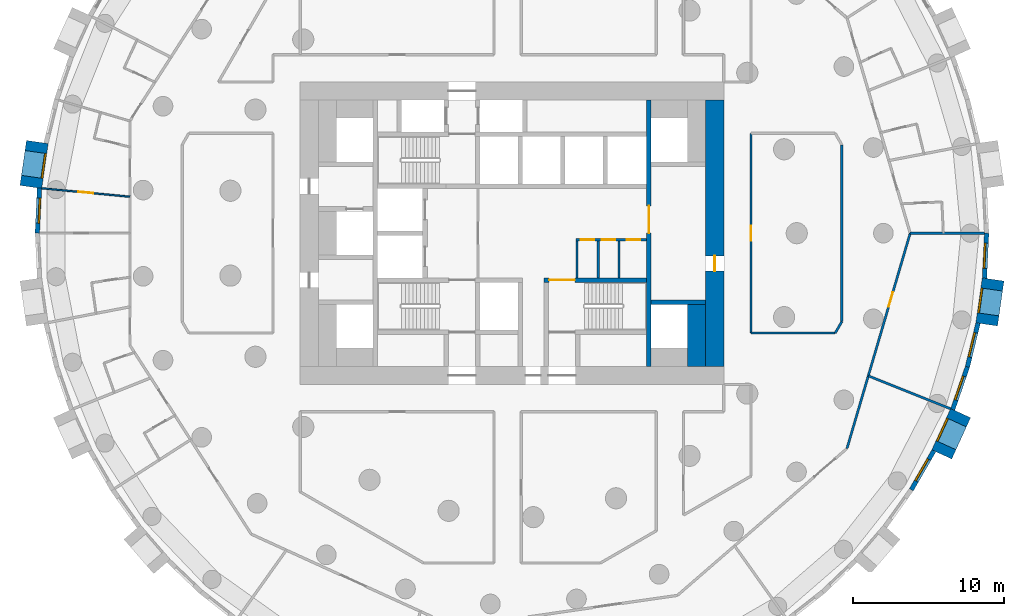
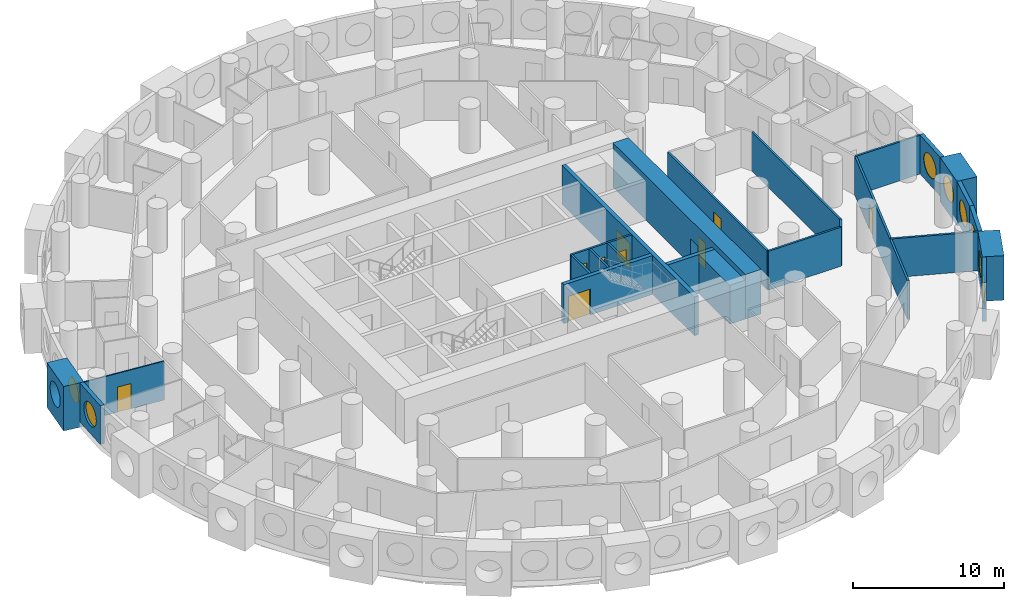
# One storey, part 6 of 12: 25 walls, 9 doors, 8 windows, 17 openings.
"""IFC4 building model written with IfcOpenShell, lengths in metres."""

from ifc_helpers import new_model, si_unit, direction, frame, frame_2d, origin, origin_2d, place, context, subcontext, project, spatial, rectangle, circle, extrude, material, layer, layer_set, type_object, element, fill, save


model = new_model("IFC4")

# Units and contexts
model_context = context("Model", 3, precision=1e-05, world=origin(), true_north=direction((0.0, 1.0)))
body_context = subcontext(model_context, "Body", "Model", "MODEL_VIEW")
ifc_project = project(units=[si_unit("LENGTHUNIT", "METRE"), si_unit("AREAUNIT", "SQUARE_METRE"), si_unit("VOLUMEUNIT", "CUBIC_METRE"), si_unit("PLANEANGLEUNIT", "RADIAN"), si_unit("MASSUNIT", "GRAM", prefix="KILO")], contexts=[model_context])

# Site, building, storey
site_placement = place(None, origin())
site = spatial("IfcSite", under=ifc_project, at=site_placement, CompositionType="ELEMENT")
building_placement = place(site_placement, origin())
building = spatial("IfcBuilding", under=site, at=building_placement, Name="Tracery Tower", CompositionType="ELEMENT")
storey_placement = place(building_placement, frame((0.0, 0.0, 103.800048828125)))
storey = spatial("IfcBuildingStorey", under=building, at=storey_placement, Name="L26", CompositionType="ELEMENT", Elevation=103.800048828125)

# Wall
ifc_material_1 = material(Name="Plasterboard on steel studs", Category="steel")
ifc_layer_1 = layer(ifc_material_1, 0.14990234375)
ifc_layer_set_1 = layer_set([ifc_layer_1], Name="Core room partition 150")
wall_type_1 = type_object("IfcWallType", Name="Core room partition 150", PredefinedType="SOLIDWALL", material=ifc_layer_set_1)
wall_1_placement = place(storey_placement, frame((4.300048828125, -2.949951171875, 0.0), z_axis=(0.0, 0.0, 1.0), x_axis=(0.0, 1.0, 0.0)))
element("IfcWall", 1, at=wall_1_placement, inside=storey, type_object=wall_type_1, Name="L26 slot W", PredefinedType="SOLIDWALL", context=body_context, shape_type="SweptSolid", body=[
    extrude(rectangle(XDim=2.449951171875, YDim=0.14990234375, at=frame_2d((1.22509765625, 0.0))), origin(), (0.0, 0.0, 1.0), 3.14990234375),
])

# Wall, openings, doors
wall_2_placement = place(storey_placement, frame((4.22509765625, -0.425048828125, 0.0), z_axis=(0.0, 0.0, 1.0), x_axis=(1.0, 0.0, 0.0)))
wall_2 = element("IfcWall", 2, at=wall_2_placement, inside=storey, type_object=wall_type_1, Name="L26 slot N", PredefinedType="SOLIDWALL", context=body_context, shape_type="SweptSolid", body=[
    extrude(rectangle(XDim=4.6748046875, YDim=0.14990234375, at=frame_2d((2.33740234375, 0.0))), origin(), (0.0, 0.0, 1.0), 3.14990234375),
])
opening_1_placement = place(wall_2_placement, frame((0.324951171875, 0.0, 0.0)))
opening_1 = element("IfcOpeningElement", 3, at=opening_1_placement, cuts=wall_2, Name="Opening KD27", PredefinedType="OPENING", context=body_context, shape_type="SweptSolid", body=[
    extrude(rectangle(XDim=0.89990234375, YDim=2.10009765625, at=frame_2d((0.449951171875, 1.050048828125))), frame((0.0, 0.074951171875, 0.0), z_axis=(0.0, -1.0, 0.0), x_axis=(1.0, 0.0, 0.0)), (0.0, 0.0, 1.0), 0.14990234375),
])
opening_2_placement = place(wall_2_placement, frame((1.71240234375, 0.0, 0.0)))
opening_2 = element("IfcOpeningElement", 4, at=opening_2_placement, cuts=wall_2, Name="Opening KD31", PredefinedType="OPENING", context=body_context, shape_type="SweptSolid", body=[
    extrude(rectangle(XDim=0.89990234375, YDim=2.10009765625, at=frame_2d((0.449951171875, 1.050048828125))), frame((0.0, 0.074951171875, 0.0), z_axis=(0.0, -1.0, 0.0), x_axis=(1.0, 0.0, 0.0)), (0.0, 0.0, 1.0), 0.14990234375),
])
opening_3_placement = place(wall_2_placement, frame((3.35009765625, 0.0, 0.0)))
opening_3 = element("IfcOpeningElement", 5, at=opening_3_placement, cuts=wall_2, Name="Opening KD22", PredefinedType="OPENING", context=body_context, shape_type="SweptSolid", body=[
    extrude(rectangle(XDim=0.89990234375, YDim=2.10009765625, at=frame_2d((0.449951171875, 1.050048828125))), frame((0.0, 0.074951171875, 0.0), z_axis=(0.0, -1.0, 0.0), x_axis=(1.0, 0.0, 0.0)), (0.0, 0.0, 1.0), 0.14990234375),
])
ifc_material_2 = material(Name="Timber door leaf", Category="wood")
door_type_1 = type_object("IfcDoorType", Name="Core WC door 900", OperationType="NOTDEFINED", PredefinedType="DOOR", material=ifc_material_2)
door_1_placement = place(opening_3_placement, origin())
door_1 = element("IfcDoor", 6, at=door_1_placement, inside=storey, type_object=door_type_1, Name="Core door", OperationType="SINGLE_SWING_RIGHT", OverallHeight=2.10009765625, OverallWidth=0.89990234375, PredefinedType="DOOR", context=body_context, shape_type="SweptSolid", body=[
    extrude(rectangle(XDim=0.89990234375, YDim=2.10009765625, at=frame_2d((0.449951171875, 1.050048828125))), frame((0.0, 0.02490234375, 0.0), z_axis=(0.0, -1.0, 0.0), x_axis=(1.0, 0.0, 0.0)), (0.0, 0.0, 1.0), 0.050048828125),
])
fill(opening_3, door_1)
ifc_material_3 = material(Name="Steel fire door", Category="steel")
door_type_2 = type_object("IfcDoorType", Name="Core riser door 900", OperationType="NOTDEFINED", PredefinedType="DOOR", material=ifc_material_3)
door_2_placement = place(opening_2_placement, origin())
door_2 = element("IfcDoor", 7, at=door_2_placement, inside=storey, type_object=door_type_2, Name="Core door", OperationType="SINGLE_SWING_LEFT", OverallHeight=2.10009765625, OverallWidth=0.89990234375, PredefinedType="DOOR", context=body_context, shape_type="SweptSolid", body=[
    extrude(rectangle(XDim=0.89990234375, YDim=2.10009765625, at=frame_2d((0.449951171875, 1.050048828125))), frame((0.0, 0.02490234375, 0.0), z_axis=(0.0, -1.0, 0.0), x_axis=(1.0, 0.0, 0.0)), (0.0, 0.0, 1.0), 0.050048828125),
])
fill(opening_2, door_2)
ifc_material_4 = material(Name="Timber door leaf", Category="wood")
door_type_3 = type_object("IfcDoorType", Name="Core store door 900", OperationType="NOTDEFINED", PredefinedType="DOOR", material=ifc_material_4)
door_3_placement = place(opening_1_placement, origin())
door_3 = element("IfcDoor", 8, at=door_3_placement, inside=storey, type_object=door_type_3, Name="Core door", OperationType="SINGLE_SWING_RIGHT", OverallHeight=2.10009765625, OverallWidth=0.89990234375, PredefinedType="DOOR", context=body_context, shape_type="SweptSolid", body=[
    extrude(rectangle(XDim=0.89990234375, YDim=2.10009765625, at=frame_2d((0.449951171875, 1.050048828125))), frame((0.0, 0.02490234375, 0.0), z_axis=(0.0, -1.0, 0.0), x_axis=(1.0, 0.0, 0.0)), (0.0, 0.0, 1.0), 0.050048828125),
])
fill(opening_1, door_3)

# Walls
for number, where, z_axis, x_axis, name in (
    (9, (5.699951171875, -2.949951171875, 0.0), (0.0, 0.0, 1.0), (0.0, 1.0, 0.0), "L26 slot sep 1"),
    (10, (7.074951171875, -2.949951171875, 0.0), (0.0, 0.0, 1.0), (0.0, 1.0, 0.0), "L26 slot sep 2"),
):
    element("IfcWall", number, at=place(storey_placement, frame(where, z_axis=z_axis, x_axis=x_axis)), inside=storey, type_object=wall_type_1, Name=name, PredefinedType="SOLIDWALL", context=body_context, shape_type="SweptSolid", body=[
        extrude(rectangle(XDim=2.449951171875, YDim=0.14990234375, at=frame_2d((1.22509765625, 0.0))), origin(), (0.0, 0.0, 1.0), 3.14990234375),
    ])
ifc_material_5 = material(Name="Concrete C60/75", Category="concrete")
ifc_layer_2 = layer(ifc_material_5, 1.199951171875)
ifc_layer_set_2 = layer_set([ifc_layer_2], Name="Core strip wall 1200 C60")
wall_type_2 = type_object("IfcWallType", Name="Core strip wall 1200 C60", PredefinedType="SOLIDWALL", material=ifc_layer_set_2)
wall_3_placement = place(storey_placement, frame((12.199951171875, -8.800048828125, 0.0), z_axis=(0.0, 0.0, 1.0), x_axis=(0.0, 1.0, 0.0)))
element("IfcWall", 11, at=wall_3_placement, inside=storey, type_object=wall_type_2, Name="L26 wing strip +1 -9.4", PredefinedType="SOLIDWALL", context=body_context, shape_type="SweptSolid", body=[
    extrude(rectangle(XDim=4.10009765625, YDim=1.199951171875, at=frame_2d((2.050048828125, 0.0))), origin(), (0.0, 0.0, 1.0), 3.14990234375),
])

# Wall, opening, door
ifc_material_6 = material(Name="Concrete C60/75", Category="concrete")
ifc_layer_3 = layer(ifc_material_6, 1.199951171875)
ifc_layer_set_3 = layer_set([ifc_layer_3], Name="Core wall 1200 C60")
wall_type_3 = type_object("IfcWallType", Name="Core wall 1200 C60", PredefinedType="SOLIDWALL", material=ifc_layer_set_3)
wall_4_placement = place(storey_placement, frame((13.39990234375, -8.800048828125, 0.0), z_axis=(0.0, 0.0, 1.0), x_axis=(0.0, 1.0, 0.0)))
wall_4 = element("IfcWall", 12, at=wall_4_placement, inside=storey, type_object=wall_type_3, Name="L26 outer E", PredefinedType="SOLIDWALL", context=body_context, shape_type="SweptSolid", body=[
    extrude(rectangle(XDim=17.60009765625, YDim=1.199951171875, at=frame_2d((8.800048828125, 0.0))), origin(), (0.0, 0.0, 1.0), 3.599853515625),
])
opening_4_placement = place(wall_4_placement, frame((6.300048828125, 0.0, 0.0)))
opening_4 = element("IfcOpeningElement", 13, at=opening_4_placement, cuts=wall_4, Name="Opening KD18", PredefinedType="OPENING", context=body_context, shape_type="SweptSolid", body=[
    extrude(rectangle(XDim=1.0, YDim=2.10009765625, at=frame_2d((0.5, 1.050048828125))), frame((0.0, 0.60009765625, 0.0), z_axis=(0.0, -1.0, 0.0), x_axis=(1.0, 0.0, 0.0)), (0.0, 0.0, 1.0), 1.199951171875),
])
ifc_material_7 = material(Name="Steel fire door", Category="steel")
door_type_4 = type_object("IfcDoorType", Name="Core exit door 1000", OperationType="NOTDEFINED", PredefinedType="DOOR", material=ifc_material_7)
door_4_placement = place(opening_4_placement, origin())
door_4 = element("IfcDoor", 14, at=door_4_placement, inside=storey, type_object=door_type_4, Name="Core exit door", OperationType="DOUBLE_DOOR_SINGLE_SWING", OverallHeight=2.10009765625, OverallWidth=1.0, PredefinedType="DOOR", context=body_context, shape_type="SweptSolid", body=[
    extrude(rectangle(XDim=1.0, YDim=2.10009765625, at=frame_2d((0.5, 1.050048828125))), frame((0.0, 0.02490234375, 0.0), z_axis=(0.0, -1.0, 0.0), x_axis=(1.0, 0.0, 0.0)), (0.0, 0.0, 1.0), 0.050048828125),
])
fill(opening_4, door_4)

# Wall, opening, window
ifc_material_8 = material(Name="Precast concrete C50/60", Category="concrete")
ifc_layer_4 = layer(ifc_material_8, 1.449951171875)
ifc_layer_set_4 = layer_set([ifc_layer_4], Name="Deep-set bay unit 3000 x 3600, slab edge 450")
wall_type_4 = type_object("IfcWallType", Name="Deep-set bay unit 3000 x 3600, slab edge 450", PredefinedType="ELEMENTEDWALL", material=ifc_layer_set_4)
wall_5_placement = place(storey_placement, frame((-31.37548828125, 6.026611328125, -0.449951171875), z_axis=(0.0, 0.0, 1.0), x_axis=(-0.142332746704, -0.989818866872, 0.0)))
wall_5 = element("IfcWall", 15, at=wall_5_placement, inside=storey, type_object=wall_type_4, Name="Deep-set bay unit 32 at L26", PredefinedType="ELEMENTEDWALL", context=body_context, shape_type="SweptSolid", body=[
    extrude(rectangle(XDim=3.0, YDim=1.449951171875, at=frame_2d((1.5, 0.0))), origin(), (0.0, 0.0, 1.0), 3.599853515625),
])
opening_5_placement = place(wall_5_placement, frame((1.5, 0.0, 2.0)))
opening_5 = element("IfcOpeningElement", 16, at=opening_5_placement, cuts=wall_5, Name="Opening WN1", PredefinedType="OPENING", context=body_context, shape_type="SweptSolid", body=[
    extrude(circle(Radius=0.9000244140625, at=origin_2d()), frame((0.0, 0.73486328125, 0.0), z_axis=(0.0, -1.0, 0.0), x_axis=(1.0, 0.0, 0.0)), (0.0, 0.0, 1.0), 1.469970703125),
])
ifc_material_9 = material(Name="Aluminium frame with tinted double glazing", Category="aluminium")
window_type = type_object("IfcWindowType", Name="Round window 1800", PartitioningType="SINGLE_PANEL", PredefinedType="WINDOW", material=ifc_material_9)
window_1_placement = place(opening_5_placement, origin())
window_1 = element("IfcWindow", 17, at=window_1_placement, inside=storey, type_object=window_type, Name="Round window 32 at L26", OverallHeight=1.800048828125, OverallWidth=1.800048828125, PartitioningType="SINGLE_PANEL", PredefinedType="WINDOW", context=body_context, shape_type="SweptSolid", body=[
    extrude(circle(Radius=0.9000244140625, at=origin_2d()), frame((0.0, 0.69482421875, 0.0), z_axis=(0.0, -1.0, 0.0), x_axis=(1.0, 0.0, 0.0)), (0.0, 0.0, 1.0), 0.10009765625),
])
fill(opening_5, window_1)

wall_6_placement = place(storey_placement, frame((28.40673828125, -14.6220703125, -0.449951171875), z_axis=(0.0, 0.0, 1.0), x_axis=(0.415427028395, 0.909626508012, 0.0)))
wall_6 = element("IfcWall", 18, at=wall_6_placement, inside=storey, type_object=wall_type_4, Name="Deep-set bay unit 62 at L26", PredefinedType="ELEMENTEDWALL", context=body_context, shape_type="SweptSolid", body=[
    extrude(rectangle(XDim=3.000244140625, YDim=1.449951171875, at=frame_2d((1.5, 0.0))), origin(), (0.0, 0.0, 1.0), 3.599853515625),
])
opening_6_placement = place(wall_6_placement, frame((1.5, 0.0, 2.0)))
opening_6 = element("IfcOpeningElement", 19, at=opening_6_placement, cuts=wall_6, Name="Opening WN1", PredefinedType="OPENING", context=body_context, shape_type="SweptSolid", body=[
    extrude(circle(Radius=0.9000244140625, at=origin_2d()), frame((0.0, 0.73486328125, 0.0), z_axis=(0.0, -1.0, 0.0), x_axis=(1.0, 0.0, 0.0)), (0.0, 0.0, 1.0), 1.469970703125),
])
window_2_placement = place(opening_6_placement, origin())
window_2 = element("IfcWindow", 20, at=window_2_placement, inside=storey, type_object=window_type, Name="Round window 62 at L26", OverallHeight=1.800048828125, OverallWidth=1.800048828125, PartitioningType="SINGLE_PANEL", PredefinedType="WINDOW", context=body_context, shape_type="SweptSolid", body=[
    extrude(circle(Radius=0.9000244140625, at=origin_2d()), frame((0.0, 0.69482421875, 0.0), z_axis=(0.0, -1.0, 0.0), x_axis=(1.0, 0.0, 0.0)), (0.0, 0.0, 1.0), 0.10009765625),
])
fill(opening_6, window_2)

wall_7_placement = place(storey_placement, frame((31.37548828125, -6.026611328125, -0.449951171875), z_axis=(0.0, 0.0, 1.0), x_axis=(0.142332746704, 0.989818866872, 0.0)))
wall_7 = element("IfcWall", 21, at=wall_7_placement, inside=storey, type_object=wall_type_4, Name="Deep-set bay unit 65 at L26", PredefinedType="ELEMENTEDWALL", context=body_context, shape_type="SweptSolid", body=[
    extrude(rectangle(XDim=3.0, YDim=1.449951171875, at=frame_2d((1.5, 0.0))), origin(), (0.0, 0.0, 1.0), 3.599853515625),
])
opening_7_placement = place(wall_7_placement, frame((1.5, 0.0, 2.0)))
opening_7 = element("IfcOpeningElement", 22, at=opening_7_placement, cuts=wall_7, Name="Opening WN1", PredefinedType="OPENING", context=body_context, shape_type="SweptSolid", body=[
    extrude(circle(Radius=0.9000244140625, at=origin_2d()), frame((0.0, 0.73486328125, 0.0), z_axis=(0.0, -1.0, 0.0), x_axis=(1.0, 0.0, 0.0)), (0.0, 0.0, 1.0), 1.469970703125),
])
window_3_placement = place(opening_7_placement, origin())
window_3 = element("IfcWindow", 23, at=window_3_placement, inside=storey, type_object=window_type, Name="Round window 65 at L26", OverallHeight=1.800048828125, OverallWidth=1.800048828125, PartitioningType="SINGLE_PANEL", PredefinedType="WINDOW", context=body_context, shape_type="SweptSolid", body=[
    extrude(circle(Radius=0.9000244140625, at=origin_2d()), frame((0.0, 0.69482421875, 0.0), z_axis=(0.0, -1.0, 0.0), x_axis=(1.0, 0.0, 0.0)), (0.0, 0.0, 1.0), 0.10009765625),
])
fill(opening_7, window_3)

ifc_material_10 = material(Name="Precast concrete C50/60", Category="concrete")
ifc_layer_5 = layer(ifc_material_10, 0.300048828125)
ifc_layer_set_5 = layer_set([ifc_layer_5], Name="Facade panel 3000 x 3150")
wall_type_5 = type_object("IfcWallType", Name="Facade panel 3000 x 3150", PredefinedType="SOLIDWALL", material=ifc_layer_set_5)
wall_8_placement = place(storey_placement, frame((-31.232666015625, 2.976318359375, 0.0), z_axis=(0.0, 0.0, 1.0), x_axis=(-0.047604077644, -0.998866283239, 0.0)))
wall_8 = element("IfcWall", 24, at=wall_8_placement, inside=storey, type_object=wall_type_5, Name="Facade panel 33 at L26", PredefinedType="SOLIDWALL", context=body_context, shape_type="SweptSolid", body=[
    extrude(rectangle(XDim=2.979736328125, YDim=0.300048828125, at=frame_2d((1.48974609375, 0.0))), origin(), (0.0, 0.0, 1.0), 3.14990234375),
])
opening_8_placement = place(wall_8_placement, frame((1.48974609375, 0.0, 1.5498046875)))
opening_8 = element("IfcOpeningElement", 25, at=opening_8_placement, cuts=wall_8, Name="Opening WN1", PredefinedType="OPENING", context=body_context, shape_type="SweptSolid", body=[
    extrude(circle(Radius=0.9000244140625, at=origin_2d()), frame((0.0, 0.159912109375, 0.0), z_axis=(0.0, -1.0, 0.0), x_axis=(1.0, 0.0, 0.0)), (0.0, 0.0, 1.0), 0.320068359375),
])
window_4_placement = place(opening_8_placement, origin())
window_4 = element("IfcWindow", 26, at=window_4_placement, inside=storey, type_object=window_type, Name="Round window 33 at L26", OverallHeight=1.800048828125, OverallWidth=1.800048828125, PartitioningType="SINGLE_PANEL", PredefinedType="WINDOW", context=body_context, shape_type="SweptSolid", body=[
    extrude(circle(Radius=0.9000244140625, at=origin_2d()), frame((0.0, 0.1201171875, 0.0), z_axis=(0.0, -1.0, 0.0), x_axis=(1.0, 0.0, 0.0)), (0.0, 0.0, 1.0), 0.10009765625),
])
fill(opening_8, window_4)

wall_9_placement = place(storey_placement, frame((26.393798828125, -16.96240234375, 0.0), z_axis=(0.0, 0.0, 1.0), x_axis=(0.500025049464, 0.866010940986, 0.0)))
wall_9 = element("IfcWall", 27, at=wall_9_placement, inside=storey, type_object=wall_type_5, Name="Facade panel 61 at L26", PredefinedType="SOLIDWALL", context=body_context, shape_type="SweptSolid", body=[
    extrude(rectangle(XDim=2.979736328125, YDim=0.300048828125, at=frame_2d((1.48974609375, 0.0))), origin(), (0.0, 0.0, 1.0), 3.14990234375),
])
opening_9_placement = place(wall_9_placement, frame((1.48974609375, 0.0, 1.5498046875)))
opening_9 = element("IfcOpeningElement", 28, at=opening_9_placement, cuts=wall_9, Name="Opening WN1", PredefinedType="OPENING", context=body_context, shape_type="SweptSolid", body=[
    extrude(circle(Radius=0.9000244140625, at=origin_2d()), frame((0.0, 0.159912109375, 0.0), z_axis=(0.0, -1.0, 0.0), x_axis=(1.0, 0.0, 0.0)), (0.0, 0.0, 1.0), 0.320068359375),
])
window_5_placement = place(opening_9_placement, origin())
window_5 = element("IfcWindow", 29, at=window_5_placement, inside=storey, type_object=window_type, Name="Round window 61 at L26", OverallHeight=1.800048828125, OverallWidth=1.800048828125, PartitioningType="SINGLE_PANEL", PredefinedType="WINDOW", context=body_context, shape_type="SweptSolid", body=[
    extrude(circle(Radius=0.9000244140625, at=origin_2d()), frame((0.0, 0.1201171875, 0.0), z_axis=(0.0, -1.0, 0.0), x_axis=(1.0, 0.0, 0.0)), (0.0, 0.0, 1.0), 0.10009765625),
])
fill(opening_9, window_5)

wall_10_placement = place(storey_placement, frame((29.12890625, -11.655029296875, 0.0), z_axis=(0.0, 0.0, 1.0), x_axis=(0.327071167136, 0.944999709856, 0.0)))
wall_10 = element("IfcWall", 30, at=wall_10_placement, inside=storey, type_object=wall_type_5, Name="Facade panel 63 at L26", PredefinedType="SOLIDWALL", context=body_context, shape_type="SweptSolid", body=[
    extrude(rectangle(XDim=2.979736328125, YDim=0.300048828125, at=frame_2d((1.48974609375, 0.0))), origin(), (0.0, 0.0, 1.0), 3.14990234375),
])
opening_10_placement = place(wall_10_placement, frame((1.48974609375, 0.0, 1.5498046875)))
opening_10 = element("IfcOpeningElement", 31, at=opening_10_placement, cuts=wall_10, Name="Opening WN1", PredefinedType="OPENING", context=body_context, shape_type="SweptSolid", body=[
    extrude(circle(Radius=0.9000244140625, at=origin_2d()), frame((0.0, 0.159912109375, 0.0), z_axis=(0.0, -1.0, 0.0), x_axis=(1.0, 0.0, 0.0)), (0.0, 0.0, 1.0), 0.320068359375),
])
window_6_placement = place(opening_10_placement, origin())
window_6 = element("IfcWindow", 32, at=window_6_placement, inside=storey, type_object=window_type, Name="Round window 63 at L26", OverallHeight=1.800048828125, OverallWidth=1.800048828125, PartitioningType="SINGLE_PANEL", PredefinedType="WINDOW", context=body_context, shape_type="SweptSolid", body=[
    extrude(circle(Radius=0.9000244140625, at=origin_2d()), frame((0.0, 0.1201171875, 0.0), z_axis=(0.0, -1.0, 0.0), x_axis=(1.0, 0.0, 0.0)), (0.0, 0.0, 1.0), 0.10009765625),
])
fill(opening_10, window_6)

wall_11_placement = place(storey_placement, frame((30.103515625, -8.839111328125, 0.0), z_axis=(0.0, 0.0, 1.0), x_axis=(0.235743081534, 0.971815414319, 0.0)))
wall_11 = element("IfcWall", 33, at=wall_11_placement, inside=storey, type_object=wall_type_5, Name="Facade panel 64 at L26", PredefinedType="SOLIDWALL", context=body_context, shape_type="SweptSolid", body=[
    extrude(rectangle(XDim=2.9794921875, YDim=0.300048828125, at=frame_2d((1.48974609375, 0.0))), origin(), (0.0, 0.0, 1.0), 3.14990234375),
])
opening_11_placement = place(wall_11_placement, frame((1.48974609375, 0.0, 1.5498046875)))
opening_11 = element("IfcOpeningElement", 34, at=opening_11_placement, cuts=wall_11, Name="Opening WN1", PredefinedType="OPENING", context=body_context, shape_type="SweptSolid", body=[
    extrude(circle(Radius=0.9000244140625, at=origin_2d()), frame((0.0, 0.159912109375, 0.0), z_axis=(0.0, -1.0, 0.0), x_axis=(1.0, 0.0, 0.0)), (0.0, 0.0, 1.0), 0.320068359375),
])
window_7_placement = place(opening_11_placement, origin())
window_7 = element("IfcWindow", 35, at=window_7_placement, inside=storey, type_object=window_type, Name="Round window 64 at L26", OverallHeight=1.800048828125, OverallWidth=1.800048828125, PartitioningType="SINGLE_PANEL", PredefinedType="WINDOW", context=body_context, shape_type="SweptSolid", body=[
    extrude(circle(Radius=0.9000244140625, at=origin_2d()), frame((0.0, 0.1201171875, 0.0), z_axis=(0.0, -1.0, 0.0), x_axis=(1.0, 0.0, 0.0)), (0.0, 0.0, 1.0), 0.10009765625),
])
fill(opening_11, window_7)

wall_12_placement = place(storey_placement, frame((31.232666015625, -2.976318359375, 0.0), z_axis=(0.0, 0.0, 1.0), x_axis=(0.047604077644, 0.998866283239, 0.0)))
wall_12 = element("IfcWall", 36, at=wall_12_placement, inside=storey, type_object=wall_type_5, Name="Facade panel 66 at L26", PredefinedType="SOLIDWALL", context=body_context, shape_type="SweptSolid", body=[
    extrude(rectangle(XDim=2.979736328125, YDim=0.300048828125, at=frame_2d((1.48974609375, 0.0))), origin(), (0.0, 0.0, 1.0), 3.14990234375),
])
opening_12_placement = place(wall_12_placement, frame((1.48974609375, 0.0, 1.5498046875)))
opening_12 = element("IfcOpeningElement", 37, at=opening_12_placement, cuts=wall_12, Name="Opening WN1", PredefinedType="OPENING", context=body_context, shape_type="SweptSolid", body=[
    extrude(circle(Radius=0.9000244140625, at=origin_2d()), frame((0.0, 0.159912109375, 0.0), z_axis=(0.0, -1.0, 0.0), x_axis=(1.0, 0.0, 0.0)), (0.0, 0.0, 1.0), 0.320068359375),
])
window_8_placement = place(opening_12_placement, origin())
window_8 = element("IfcWindow", 38, at=window_8_placement, inside=storey, type_object=window_type, Name="Round window 66 at L26", OverallHeight=1.800048828125, OverallWidth=1.800048828125, PartitioningType="SINGLE_PANEL", PredefinedType="WINDOW", context=body_context, shape_type="SweptSolid", body=[
    extrude(circle(Radius=0.9000244140625, at=origin_2d()), frame((0.0, 0.1201171875, 0.0), z_axis=(0.0, -1.0, 0.0), x_axis=(1.0, 0.0, 0.0)), (0.0, 0.0, 1.0), 0.10009765625),
])
fill(opening_12, window_8)

# Wall, opening, door
ifc_material_11 = material(Name="Plasterboard on steel studs", Category="steel")
ifc_layer_6 = layer(ifc_material_11, 0.10009765625)
ifc_layer_set_6 = layer_set([ifc_layer_6], Name="Partition 100 stud")
wall_type_6 = type_object("IfcWallType", Name="Partition 100 stud", PredefinedType="PARTITIONING", material=ifc_layer_set_6)
wall_13_placement = place(storey_placement, frame((-31.0830078125, 2.968017578125, 0.0), z_axis=(0.0, 0.0, 1.0), x_axis=(0.995465070325, -0.095127775983, 0.0)))
wall_13 = element("IfcWall", 39, at=wall_13_placement, inside=storey, type_object=wall_type_6, Name="Stud partition RA8-095", PredefinedType="PARTITIONING", context=body_context, shape_type="SweptSolid", body=[
    extrude(rectangle(XDim=5.856689453125, YDim=0.10009765625, at=frame_2d((2.92822265625, 0.0))), origin(), (0.0, 0.0, 1.0), 3.14990234375),
])
opening_13_placement = place(wall_13_placement, frame((2.428466796875, 0.0, 0.0)))
opening_13 = element("IfcOpeningElement", 40, at=opening_13_placement, cuts=wall_13, Name="Opening RA8-34", PredefinedType="OPENING", context=body_context, shape_type="SweptSolid", body=[
    extrude(rectangle(XDim=1.0, YDim=2.0400390625, at=frame_2d((0.5, 1.02001953125))), frame((0.0, 0.050048828125, 0.0), z_axis=(0.0, -1.0, 0.0), x_axis=(1.0, 0.0, 0.0)), (0.0, 0.0, 1.0), 0.10009765625),
])
ifc_material_12 = material(Name="Timber door leaf", Category="wood")
door_type_5 = type_object("IfcDoorType", Name="Door communal room 1000", OperationType="NOTDEFINED", PredefinedType="DOOR", material=ifc_material_12)
door_5_placement = place(opening_13_placement, origin())
door_5 = element("IfcDoor", 41, at=door_5_placement, inside=storey, type_object=door_type_5, Name="Communal room door RA8-34", OperationType="SINGLE_SWING_LEFT", OverallHeight=2.0400390625, OverallWidth=1.0, PredefinedType="DOOR", context=body_context, shape_type="SweptSolid", body=[
    extrude(rectangle(XDim=1.0, YDim=2.0400390625, at=frame_2d((0.5, 1.02001953125))), frame((0.0, 0.02490234375, 0.0), z_axis=(0.0, -1.0, 0.0), x_axis=(1.0, 0.0, 0.0)), (0.0, 0.0, 1.0), 0.050048828125),
])
fill(opening_13, door_5)

# Walls
ifc_material_13 = material(Name="Plasterboard on steel studs", Category="steel")
ifc_layer_7 = layer(ifc_material_13, 0.14990234375)
ifc_layer_set_7 = layer_set([ifc_layer_7], Name="Partition 150 acoustic unit wall")
wall_type_7 = type_object("IfcWallType", Name="Partition 150 acoustic unit wall", PredefinedType="PARTITIONING", material=ifc_layer_set_7)
wall_14_placement = place(storey_placement, frame((26.319091796875, 0.0, 0.0), z_axis=(0.0, 0.0, 1.0), x_axis=(1.0, 0.0, 0.0)))
element("IfcWall", 42, at=wall_14_placement, inside=storey, type_object=wall_type_7, Name="Unit wall RA8-063", PredefinedType="PARTITIONING", context=body_context, shape_type="SweptSolid", body=[
    extrude(rectangle(XDim=4.905029296875, YDim=0.14990234375, at=frame_2d((2.45263671875, 0.0))), origin(), (0.0, 0.0, 1.0), 3.14990234375),
])
wall_15_placement = place(storey_placement, frame((23.550048828125, -9.427978515625, 0.0), z_axis=(0.0, 0.0, 1.0), x_axis=(0.9283702981, -0.371656547911, 0.0)))
element("IfcWall", 43, at=wall_15_placement, inside=storey, type_object=wall_type_7, Name="Unit wall RA8-116", PredefinedType="PARTITIONING", context=body_context, shape_type="SweptSolid", body=[
    extrude(rectangle(XDim=5.857666015625, YDim=0.14990234375, at=frame_2d((2.9287109375, 0.0))), origin(), (0.0, 0.0, 1.0), 3.14990234375),
])

# Wall, opening, door
ifc_material_14 = material(Name="Plasterboard on steel studs", Category="steel")
ifc_layer_8 = layer(ifc_material_14, 0.14990234375)
ifc_layer_set_8 = layer_set([ifc_layer_8], Name="Partition 150 corridor wall")
wall_type_8 = type_object("IfcWallType", Name="Partition 150 corridor wall", PredefinedType="PARTITIONING", material=ifc_layer_set_8)
wall_16_placement = place(storey_placement, frame((15.800048828125, -6.60400390625, 0.0), z_axis=(0.0, 0.0, 1.0), x_axis=(0.0, 1.0, 0.0)))
wall_16 = element("IfcWall", 44, at=wall_16_placement, inside=storey, type_object=wall_type_8, Name="Corridor wall RA8-012", PredefinedType="PARTITIONING", context=body_context, shape_type="SweptSolid", body=[
    extrude(rectangle(XDim=13.2080078125, YDim=0.14990234375, at=frame_2d((6.60400390625, 0.0))), origin(), (0.0, 0.0, 1.0), 3.14990234375),
])
opening_14_placement = place(wall_16_placement, frame((6.10400390625, 0.0, 0.0)))
opening_14 = element("IfcOpeningElement", 45, at=opening_14_placement, cuts=wall_16, Name="Opening RA8-07", PredefinedType="OPENING", context=body_context, shape_type="SweptSolid", body=[
    extrude(rectangle(XDim=1.0, YDim=2.0400390625, at=frame_2d((0.5, 1.02001953125))), frame((0.0, 0.074951171875, 0.0), z_axis=(0.0, -1.0, 0.0), x_axis=(1.0, 0.0, 0.0)), (0.0, 0.0, 1.0), 0.14990234375),
])
door_6_placement = place(opening_14_placement, origin())
door_6 = element("IfcDoor", 46, at=door_6_placement, inside=storey, type_object=door_type_5, Name="Communal room door RA8-07", OperationType="SINGLE_SWING_RIGHT", OverallHeight=2.0400390625, OverallWidth=1.0, PredefinedType="DOOR", context=body_context, shape_type="SweptSolid", body=[
    extrude(rectangle(XDim=1.0, YDim=2.0400390625, at=frame_2d((0.5, 1.02001953125))), frame((0.0, 0.02490234375, 0.0), z_axis=(0.0, -1.0, 0.0), x_axis=(1.0, 0.0, 0.0)), (0.0, 0.0, 1.0), 0.050048828125),
])
fill(opening_14, door_6)

# Walls
wall_17_placement = place(storey_placement, frame((15.800048828125, -6.60009765625, 0.0), z_axis=(0.0, 0.0, 1.0), x_axis=(1.0, 0.0, 0.0)))
element("IfcWall", 47, at=wall_17_placement, inside=storey, type_object=wall_type_8, Name="Corridor wall RA8-016", PredefinedType="PARTITIONING", context=body_context, shape_type="SweptSolid", body=[
    extrude(rectangle(XDim=5.56396484375, YDim=0.14990234375, at=frame_2d((2.781982421875, 0.0))), origin(), (0.0, 0.0, 1.0), 3.14990234375),
])
wall_18_placement = place(storey_placement, frame((21.364013671875, -6.60009765625, 0.0), z_axis=(0.0, 0.0, 1.0), x_axis=(0.500277597875, 0.865865073245, 0.0)))
element("IfcWall", 48, at=wall_18_placement, inside=storey, type_object=wall_type_8, Name="Corridor wall RA8-017", PredefinedType="PARTITIONING", context=body_context, shape_type="SweptSolid", body=[
    extrude(rectangle(XDim=0.87548828125, YDim=0.14990234375, at=frame_2d((0.437744140625, 0.0))), origin(), (0.0, 0.0, 1.0), 3.14990234375),
])
wall_19_placement = place(storey_placement, frame((21.802001953125, -5.842041015625, 0.0), z_axis=(0.0, 0.0, 1.0), x_axis=(0.0, 1.0, 0.0)))
element("IfcWall", 49, at=wall_19_placement, inside=storey, type_object=wall_type_8, Name="Corridor wall RA8-018", PredefinedType="PARTITIONING", context=body_context, shape_type="SweptSolid", body=[
    extrude(rectangle(XDim=11.68408203125, YDim=0.14990234375, at=frame_2d((5.842041015625, 0.0))), origin(), (0.0, 0.0, 1.0), 3.14990234375),
])

# Wall, opening, door
wall_20_placement = place(storey_placement, frame((22.14111328125, -14.22900390625, 0.0), z_axis=(0.0, 0.0, 1.0), x_axis=(0.281745602308, 0.959489143024, 0.0)))
wall_20 = element("IfcWall", 50, at=wall_20_placement, inside=storey, type_object=wall_type_8, Name="Corridor wall RA8-023", PredefinedType="PARTITIONING", context=body_context, shape_type="SweptSolid", body=[
    extrude(rectangle(XDim=14.829833984375, YDim=0.14990234375, at=frame_2d((7.4150390625, 0.0))), origin(), (0.0, 0.0, 1.0), 3.14990234375),
])
opening_15_placement = place(wall_20_placement, frame((9.7646484375, 0.0, 0.0)))
opening_15 = element("IfcOpeningElement", 51, at=opening_15_placement, cuts=wall_20, Name="Opening RA8-49", PredefinedType="OPENING", context=body_context, shape_type="SweptSolid", body=[
    extrude(rectangle(XDim=1.0, YDim=2.0400390625, at=frame_2d((0.5, 1.02001953125))), frame((0.0, 0.074951171875, 0.0), z_axis=(0.0, -1.0, 0.0), x_axis=(1.0, 0.0, 0.0)), (0.0, 0.0, 1.0), 0.14990234375),
])
door_7_placement = place(opening_15_placement, origin())
door_7 = element("IfcDoor", 52, at=door_7_placement, inside=storey, type_object=door_type_5, Name="Communal room door RA8-49", OperationType="SINGLE_SWING_LEFT", OverallHeight=2.0400390625, OverallWidth=1.0, PredefinedType="DOOR", context=body_context, shape_type="SweptSolid", body=[
    extrude(rectangle(XDim=1.0, YDim=2.0400390625, at=frame_2d((0.5, 1.02001953125))), frame((0.0, 0.02490234375, 0.0), z_axis=(0.0, -1.0, 0.0), x_axis=(1.0, 0.0, 0.0)), (0.0, 0.0, 1.0), 0.050048828125),
])
fill(opening_15, door_7)

# Wall
ifc_material_15 = material(Name="Concrete C60/75", Category="concrete")
ifc_layer_9 = layer(ifc_material_15, 0.300048828125)
ifc_layer_set_9 = layer_set([ifc_layer_9], Name="Shaft wall 300 C60")
wall_type_9 = type_object("IfcWallType", Name="Shaft wall 300 C60", PredefinedType="SOLIDWALL", material=ifc_layer_set_9)
wall_21_placement = place(storey_placement, frame((9.199951171875, -4.550048828125, 0.0), z_axis=(0.0, 0.0, 1.0), x_axis=(1.0, 0.0, 0.0)))
element("IfcWall", 53, at=wall_21_placement, inside=storey, type_object=wall_type_9, Name="L26 wing shaft wall +1 -4.55", PredefinedType="SOLIDWALL", context=body_context, shape_type="SweptSolid", body=[
    extrude(rectangle(XDim=3.60009765625, YDim=0.300048828125, at=frame_2d((1.800048828125, 0.0))), origin(), (0.0, 0.0, 1.0), 3.14990234375),
])

# Wall, opening, door
ifc_material_16 = material(Name="Concrete C60/75", Category="concrete")
ifc_layer_10 = layer(ifc_material_16, 0.300048828125)
ifc_layer_set_10 = layer_set([ifc_layer_10], Name="Stair wall 300 C60")
wall_type_10 = type_object("IfcWallType", Name="Stair wall 300 C60", PredefinedType="SOLIDWALL", material=ifc_layer_set_10)
wall_22_placement = place(storey_placement, frame((2.10009765625, -3.10009765625, 0.0), z_axis=(0.0, 0.0, 1.0), x_axis=(1.0, 0.0, 0.0)))
wall_22 = element("IfcWall", 54, at=wall_22_placement, inside=storey, type_object=wall_type_10, Name="L26 row S E", PredefinedType="SOLIDWALL", context=body_context, shape_type="SweptSolid", body=[
    extrude(rectangle(XDim=6.7998046875, YDim=0.300048828125, at=frame_2d((3.39990234375, 0.0))), origin(), (0.0, 0.0, 1.0), 3.14990234375),
])
opening_16_placement = place(wall_22_placement, frame((0.35009765625, 0.0, 0.0)))
opening_16 = element("IfcOpeningElement", 55, at=opening_16_placement, cuts=wall_22, Name="Opening KD3", PredefinedType="OPENING", context=body_context, shape_type="SweptSolid", body=[
    extrude(rectangle(XDim=1.699951171875, YDim=2.10009765625, at=frame_2d((0.85009765625, 1.050048828125))), frame((0.0, 0.14990234375, 0.0), z_axis=(0.0, -1.0, 0.0), x_axis=(1.0, 0.0, 0.0)), (0.0, 0.0, 1.0), 0.300048828125),
])
ifc_material_17 = material(Name="Steel fire door", Category="steel")
door_type_6 = type_object("IfcDoorType", Name="Core stair door 1700 double", OperationType="NOTDEFINED", PredefinedType="DOOR", material=ifc_material_17)
door_8_placement = place(opening_16_placement, origin())
door_8 = element("IfcDoor", 56, at=door_8_placement, inside=storey, type_object=door_type_6, Name="Stair door ST2", OperationType="DOUBLE_DOOR_SINGLE_SWING", OverallHeight=2.10009765625, OverallWidth=1.699951171875, PredefinedType="DOOR", context=body_context, shape_type="SweptSolid", body=[
    extrude(rectangle(XDim=1.699951171875, YDim=2.10009765625, at=frame_2d((0.85009765625, 1.050048828125))), frame((0.0, 0.02490234375, 0.0), z_axis=(0.0, -1.0, 0.0), x_axis=(1.0, 0.0, 0.0)), (0.0, 0.0, 1.0), 0.050048828125),
])
fill(opening_16, door_8)

wall_23_placement = place(storey_placement, frame((9.050048828125, -8.800048828125, 0.0), z_axis=(0.0, 0.0, 1.0), x_axis=(0.0, 1.0, 0.0)))
wall_23 = element("IfcWall", 57, at=wall_23_placement, inside=storey, type_object=wall_type_10, Name="L26 F wall +9", PredefinedType="SOLIDWALL", context=body_context, shape_type="SweptSolid", body=[
    extrude(rectangle(XDim=17.60009765625, YDim=0.300048828125, at=frame_2d((8.800048828125, 0.0))), origin(), (0.0, 0.0, 1.0), 3.14990234375),
])
opening_17_placement = place(wall_23_placement, frame((8.800048828125, 0.0, 0.0)))
opening_17 = element("IfcOpeningElement", 58, at=opening_17_placement, cuts=wall_23, Name="Opening KD13", PredefinedType="OPENING", context=body_context, shape_type="SweptSolid", body=[
    extrude(rectangle(XDim=1.800048828125, YDim=2.10009765625, at=frame_2d((0.89990234375, 1.050048828125))), frame((0.0, 0.14990234375, 0.0), z_axis=(0.0, -1.0, 0.0), x_axis=(1.0, 0.0, 0.0)), (0.0, 0.0, 1.0), 0.300048828125),
])
ifc_material_18 = material(Name="Steel fire door", Category="steel")
door_type_7 = type_object("IfcDoorType", Name="Core exit door 1800 double", OperationType="NOTDEFINED", PredefinedType="DOOR", material=ifc_material_18)
door_9_placement = place(opening_17_placement, origin())
door_9 = element("IfcDoor", 59, at=door_9_placement, inside=storey, type_object=door_type_7, Name="Core exit door", OperationType="DOUBLE_DOOR_SINGLE_SWING", OverallHeight=2.10009765625, OverallWidth=1.800048828125, PredefinedType="DOOR", context=body_context, shape_type="SweptSolid", body=[
    extrude(rectangle(XDim=1.800048828125, YDim=2.10009765625, at=frame_2d((0.89990234375, 1.050048828125))), frame((0.0, 0.02490234375, 0.0), z_axis=(0.0, -1.0, 0.0), x_axis=(1.0, 0.0, 0.0)), (0.0, 0.0, 1.0), 0.050048828125),
])
fill(opening_17, door_9)

save(model, "model.ifc")
